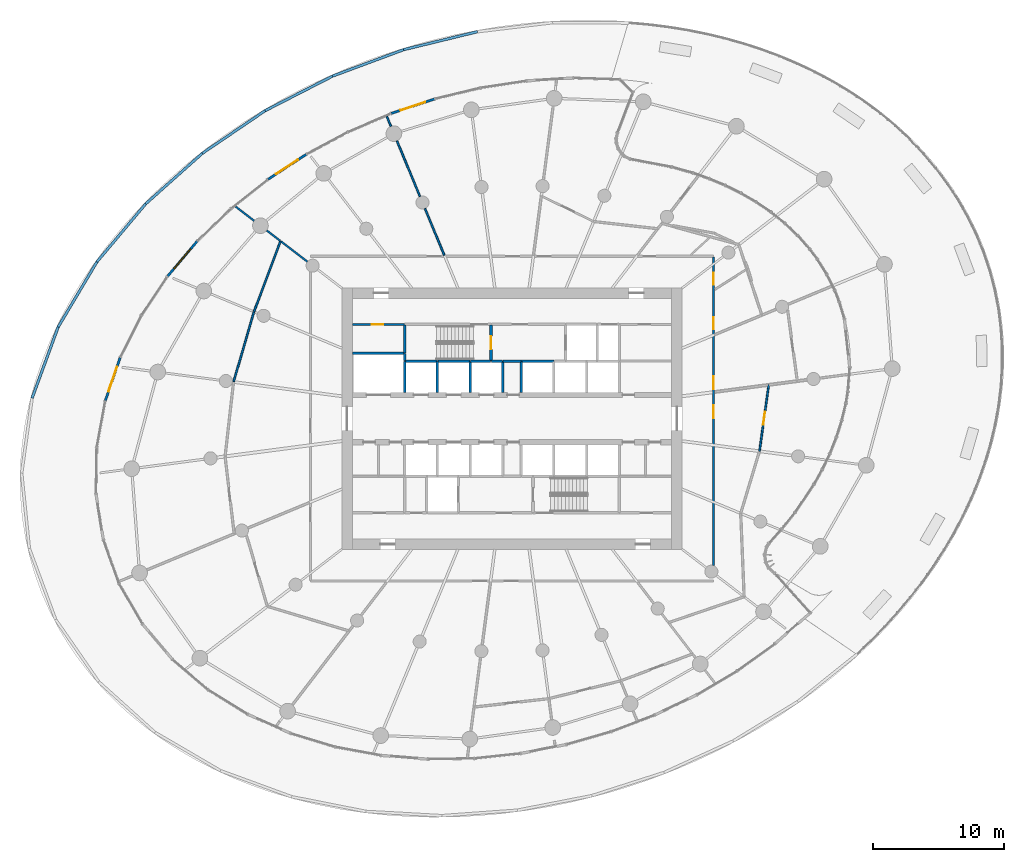
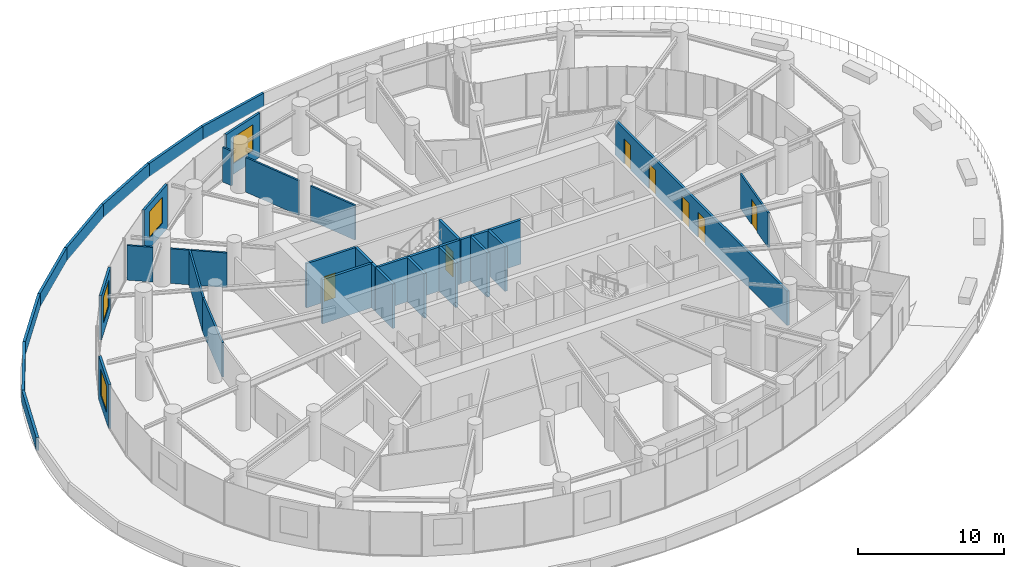
# One storey, part 17 of 24: 38 walls, 7 doors, 4 windows, 11 openings.
"""IFC4 building model written with IfcOpenShell, lengths in metres."""

from ifc_helpers import new_model, si_unit, direction, frame, frame_2d, origin, place, context, subcontext, project, spatial, rectangle, extrude, source, transform, mapped, material, layer, layer_set, type_object, element, fill, save


model = new_model("IFC4")

# Units and contexts
model_context = context("Model", 3, precision=1e-05, world=origin(), true_north=direction((0.0, 1.0)))
body_context = subcontext(model_context, "Body", "Model", "MODEL_VIEW")
ifc_project = project(units=[si_unit("LENGTHUNIT", "METRE"), si_unit("AREAUNIT", "SQUARE_METRE"), si_unit("VOLUMEUNIT", "CUBIC_METRE"), si_unit("PLANEANGLEUNIT", "RADIAN"), si_unit("MASSUNIT", "GRAM", prefix="KILO")], contexts=[model_context])

# Site, building, storey
site_placement = place(None, origin())
site = spatial("IfcSite", under=ifc_project, at=site_placement, CompositionType="ELEMENT")
building_placement = place(site_placement, origin())
building = spatial("IfcBuilding", under=site, at=building_placement, Name="Spindrift Exchange Tower", CompositionType="ELEMENT")
storey_placement = place(building_placement, frame((0.0, 0.0, 79.800048828125)))
storey = spatial("IfcBuildingStorey", under=building, at=storey_placement, Name="L18", CompositionType="ELEMENT", Elevation=79.800048828125)

# Walls
ifc_material_1 = material(Name="Concrete 40 MPa", Category="concrete")
ifc_layer_1 = layer(ifc_material_1, 0.199951171875)
ifc_layer_set_1 = layer_set([ifc_layer_1], Name="LEDGE PARAPET 1100")
wall_type_1 = type_object("IfcWallType", Name="LEDGE PARAPET 1100", PredefinedType="PARAPET", material=ifc_layer_set_1)
wall_1_placement = place(storey_placement, frame((15.331298828125, 49.566162109375, 0.0), z_axis=(0.0, 0.0, 1.0), x_axis=(0.344071277995, 0.938943531667, 0.0)))
element("IfcWall", 1, at=wall_1_placement, inside=storey, type_object=wall_type_1, Name="L18 Ledge Parapet 16", PredefinedType="PARAPET", context=body_context, shape_type="SweptSolid", body=[
    extrude(rectangle(XDim=5.7900390625, YDim=0.199951171875, at=frame_2d((2.89501953125, 0.0))), origin(), (0.0, 0.0, 1.0), 1.099853515625),
])
wall_2_placement = place(storey_placement, frame((17.323486328125, 55.002685546875, 0.0), z_axis=(0.0, 0.0, 1.0), x_axis=(0.511331211029, 0.859383728394, 0.0)))
element("IfcWall", 2, at=wall_2_placement, inside=storey, type_object=wall_type_1, Name="L18 Ledge Parapet 17", PredefinedType="PARAPET", context=body_context, shape_type="SweptSolid", body=[
    extrude(rectangle(XDim=5.79248046875, YDim=0.199951171875, at=frame_2d((2.896240234375, 0.0))), origin(), (0.0, 0.0, 1.0), 1.099853515625),
])
wall_3_placement = place(storey_placement, frame((20.285400390625, 59.980712890625, 0.0), z_axis=(0.0, 0.0, 1.0), x_axis=(0.643341291458, 0.765579507762, 0.0)))
element("IfcWall", 3, at=wall_3_placement, inside=storey, type_object=wall_type_1, Name="L18 Ledge Parapet 18", PredefinedType="PARAPET", context=body_context, shape_type="SweptSolid", body=[
    extrude(rectangle(XDim=5.7939453125, YDim=0.199951171875, at=frame_2d((2.89697265625, 0.0))), origin(), (0.0, 0.0, 1.0), 1.099853515625),
])
wall_4_placement = place(storey_placement, frame((24.012939453125, 64.41650390625, 0.0), z_axis=(0.0, 0.0, 1.0), x_axis=(0.746511452073, 0.665372566255, 0.0)))
element("IfcWall", 4, at=wall_4_placement, inside=storey, type_object=wall_type_1, Name="L18 Ledge Parapet 19", PredefinedType="PARAPET", context=body_context, shape_type="SweptSolid", body=[
    extrude(rectangle(XDim=5.795166015625, YDim=0.199951171875, at=frame_2d((2.8974609375, 0.0))), origin(), (0.0, 0.0, 1.0), 1.099853515625),
])
wall_5_placement = place(storey_placement, frame((28.339111328125, 68.2724609375, 0.0), z_axis=(0.0, 0.0, 1.0), x_axis=(0.827164601212, 0.561959716085, 0.0)))
element("IfcWall", 5, at=wall_5_placement, inside=storey, type_object=wall_type_1, Name="L18 Ledge Parapet 20", PredefinedType="PARAPET", context=body_context, shape_type="SweptSolid", body=[
    extrude(rectangle(XDim=5.7958984375, YDim=0.199951171875, at=frame_2d((2.89794921875, 0.0))), origin(), (0.0, 0.0, 1.0), 1.099853515625),
])
wall_6_placement = place(storey_placement, frame((33.13330078125, 71.529541015625, 0.0), z_axis=(0.0, 0.0, 1.0), x_axis=(0.889780183945, 0.456389334077, 0.0)))
element("IfcWall", 6, at=wall_6_placement, inside=storey, type_object=wall_type_1, Name="L18 Ledge Parapet 21", PredefinedType="PARAPET", context=body_context, shape_type="SweptSolid", body=[
    extrude(rectangle(XDim=5.796142578125, YDim=0.199951171875, at=frame_2d((2.89794921875, 0.0))), origin(), (0.0, 0.0, 1.0), 1.099853515625),
])
for number, where, z_axis, x_axis, name in (
    (7, (38.29052734375, 74.1748046875, 0.0), (0.0, 0.0, 1.0), (0.937325857348, 0.348454067486, 0.0), "L18 Ledge Parapet 22"),
    (8, (43.7236328125, 76.194580078125, 0.0), (0.0, 0.0, 1.0), (0.971560055615, 0.23679328186, 0.0), "L18 Ledge Parapet 23"),
):
    element("IfcWall", number, at=place(storey_placement, frame(where, z_axis=z_axis, x_axis=x_axis)), inside=storey, type_object=wall_type_1, Name=name, PredefinedType="PARAPET", context=body_context, shape_type="SweptSolid", body=[
        extrude(rectangle(XDim=5.79638671875, YDim=0.199951171875, at=frame_2d((2.898193359375, 0.0))), origin(), (0.0, 0.0, 1.0), 1.099853515625),
    ])

# Wall, opening, window
ifc_material_2 = material(Name="Bronze anodised aluminium frame with fritted laminated glass spandrel", Category="aluminium")
ifc_layer_2 = layer(ifc_material_2, 0.179931640625)
ifc_layer_set_2 = layer_set([ifc_layer_2], Name="UNITISED FRAME WALL")
wall_type_2 = type_object("IfcWallType", Name="UNITISED FRAME WALL", PredefinedType="STANDARD", material=ifc_layer_set_2)
wall_7_placement = place(storey_placement, frame((46.082763671875, 72.42333984375, 0.0), z_axis=(0.0, 0.0, 1.0), x_axis=(-0.948697281458, -0.316185812703, 0.0)))
wall_7 = element("IfcWall", 9, at=wall_7_placement, inside=storey, type_object=wall_type_2, Name="L18 Frame Wall 5", PredefinedType="STANDARD", context=body_context, shape_type="SweptSolid", body=[
    extrude(rectangle(XDim=3.49169921875, YDim=0.179931640625, at=frame_2d((1.745849609375, 0.0))), origin(), (0.0, 0.0, 1.0), 3.699951171875),
])
opening_1_placement = place(wall_7_placement, frame((0.745849609375, 0.0, 0.89990234375)))
opening_1 = element("IfcOpeningElement", 10, at=opening_1_placement, cuts=wall_7, Name="Opening WV18-02", PredefinedType="OPENING", context=body_context, shape_type="SweptSolid", body=[
    extrude(rectangle(XDim=2.0, YDim=2.199951171875, at=frame_2d((1.0, 1.10009765625))), frame((0.0, 0.099853515625, 0.0), z_axis=(0.0, -1.0, 0.0), x_axis=(1.0, 0.0, 0.0)), (0.0, 0.0, 1.0), 0.199951171875),
])
ifc_material_3 = material(Name="Clear laminated low-iron glass in bronze frame", Category="glass")
window_type = type_object("IfcWindowType", Name="OPERABLE CLEAR VENT 2000X2200", PartitioningType="SINGLE_PANEL", PredefinedType="WINDOW", material=ifc_material_3)
shared_shape_1 = source(origin(), body_context, "Body", "SweptSolid", [
    extrude(rectangle(XDim=2.0, YDim=2.199951171875, at=frame_2d((1.0, 1.10009765625))), frame((0.0, 0.030029296875, 0.0), z_axis=(0.0, -1.0, 0.0), x_axis=(1.0, 0.0, 0.0)), (0.0, 0.0, 1.0), 0.06005859375),
])
window_1_placement = place(opening_1_placement, origin())
window_1 = element("IfcWindow", 11, at=window_1_placement, inside=storey, type_object=window_type, Name="L18 Operable Vent WV18-02", OverallHeight=2.199951171875, OverallWidth=2.0, PartitioningType="SINGLE_PANEL", PredefinedType="WINDOW", context=body_context, shape_type="MappedRepresentation", body=[
    mapped(shared_shape_1, transform((0.0, 0.0, 0.0), scale=1.0)),
])
fill(opening_1, window_1)

wall_8_placement = place(storey_placement, frame((36.281982421875, 68.1953125, 0.0), z_axis=(0.0, 0.0, 1.0), x_axis=(-0.837092769451, -0.547060961258, 0.0)))
wall_8 = element("IfcWall", 12, at=wall_8_placement, inside=storey, type_object=wall_type_2, Name="L18 Frame Wall 8", PredefinedType="STANDARD", context=body_context, shape_type="SweptSolid", body=[
    extrude(rectangle(XDim=3.49169921875, YDim=0.179931640625, at=frame_2d((1.745849609375, 0.0))), origin(), (0.0, 0.0, 1.0), 3.699951171875),
])
opening_2_placement = place(wall_8_placement, frame((0.745849609375, 0.0, 0.89990234375)))
opening_2 = element("IfcOpeningElement", 13, at=opening_2_placement, cuts=wall_8, Name="Opening WV18-03", PredefinedType="OPENING", context=body_context, shape_type="SweptSolid", body=[
    extrude(rectangle(XDim=2.0, YDim=2.199951171875, at=frame_2d((1.0, 1.10009765625))), frame((0.0, 0.099853515625, 0.0), z_axis=(0.0, -1.0, 0.0), x_axis=(1.0, 0.0, 0.0)), (0.0, 0.0, 1.0), 0.199951171875),
])
window_2_placement = place(opening_2_placement, origin())
window_2 = element("IfcWindow", 14, at=window_2_placement, inside=storey, type_object=window_type, Name="L18 Operable Vent WV18-03", OverallHeight=2.199951171875, OverallWidth=2.0, PartitioningType="SINGLE_PANEL", PredefinedType="WINDOW", context=body_context, shape_type="MappedRepresentation", body=[
    mapped(shared_shape_1, transform((0.0, 0.0, 0.0), scale=1.0)),
])
fill(opening_2, window_2)

wall_9_placement = place(storey_placement, frame((27.938232421875, 61.548583984375, 0.0), z_axis=(0.0, 0.0, 1.0), x_axis=(-0.645349538413, -0.763887408765, 0.0)))
wall_9 = element("IfcWall", 15, at=wall_9_placement, inside=storey, type_object=wall_type_2, Name="L18 Frame Wall 11", PredefinedType="STANDARD", context=body_context, shape_type="SweptSolid", body=[
    extrude(rectangle(XDim=3.490966796875, YDim=0.179931640625, at=frame_2d((1.74560546875, 0.0))), origin(), (0.0, 0.0, 1.0), 3.699951171875),
])
opening_3_placement = place(wall_9_placement, frame((0.74560546875, 0.0, 0.89990234375)))
opening_3 = element("IfcOpeningElement", 16, at=opening_3_placement, cuts=wall_9, Name="Opening WV18-04", PredefinedType="OPENING", context=body_context, shape_type="SweptSolid", body=[
    extrude(rectangle(XDim=2.0, YDim=2.199951171875, at=frame_2d((1.0, 1.10009765625))), frame((0.0, 0.099853515625, 0.0), z_axis=(0.0, -1.0, 0.0), x_axis=(1.0, 0.0, 0.0)), (0.0, 0.0, 1.0), 0.199951171875),
])
window_3_placement = place(opening_3_placement, origin())
window_3 = element("IfcWindow", 17, at=window_3_placement, inside=storey, type_object=window_type, Name="L18 Operable Vent WV18-04", OverallHeight=2.199951171875, OverallWidth=2.0, PartitioningType="SINGLE_PANEL", PredefinedType="WINDOW", context=body_context, shape_type="MappedRepresentation", body=[
    mapped(shared_shape_1, transform((0.0, 0.0, 0.0), scale=1.0)),
])
fill(opening_3, window_3)

wall_10_placement = place(storey_placement, frame((22.061767578125, 52.670166015625, 0.0), z_axis=(0.0, 0.0, 1.0), x_axis=(-0.325113007856, -0.945675172627, 0.0)))
wall_10 = element("IfcWall", 18, at=wall_10_placement, inside=storey, type_object=wall_type_2, Name="L18 Frame Wall 14", PredefinedType="STANDARD", context=body_context, shape_type="SweptSolid", body=[
    extrude(rectangle(XDim=3.489501953125, YDim=0.179931640625, at=frame_2d((1.74462890625, 0.0))), origin(), (0.0, 0.0, 1.0), 3.699951171875),
])
opening_4_placement = place(wall_10_placement, frame((0.744873046875, 0.0, 0.89990234375)))
opening_4 = element("IfcOpeningElement", 19, at=opening_4_placement, cuts=wall_10, Name="Opening WV18-05", PredefinedType="OPENING", context=body_context, shape_type="SweptSolid", body=[
    extrude(rectangle(XDim=2.0, YDim=2.199951171875, at=frame_2d((1.0, 1.10009765625))), frame((0.0, 0.099853515625, 0.0), z_axis=(0.0, -1.0, 0.0), x_axis=(1.0, 0.0, 0.0)), (0.0, 0.0, 1.0), 0.199951171875),
])
window_4_placement = place(opening_4_placement, origin())
window_4 = element("IfcWindow", 20, at=window_4_placement, inside=storey, type_object=window_type, Name="L18 Operable Vent WV18-05", OverallHeight=2.199951171875, OverallWidth=2.0, PartitioningType="SINGLE_PANEL", PredefinedType="WINDOW", context=body_context, shape_type="MappedRepresentation", body=[
    mapped(shared_shape_1, transform((0.0, 0.0, 0.0), scale=1.0)),
])
fill(opening_4, window_4)

# Wall, openings, doors
ifc_material_4 = material(Name="Fire-rated plasterboard partition", Category="gypsum")
ifc_layer_3 = layer(ifc_material_4, 0.179931640625)
ifc_layer_set_3 = layer_set([ifc_layer_3], Name="W-CORR-180")
wall_type_3 = type_object("IfcWallType", Name="W-CORR-180", PredefinedType="PARTITIONING", material=ifc_layer_set_3)
wall_11_placement = place(storey_placement, frame((67.39990234375, 60.3701171875, 0.0), z_axis=(0.0, 0.0, 1.0), x_axis=(0.0, -1.0, 0.0)))
wall_11 = element("IfcWall", 21, at=wall_11_placement, inside=storey, type_object=wall_type_3, Name="L18 Partition wall 59", PredefinedType="PARTITIONING", context=body_context, shape_type="SweptSolid", body=[
    extrude(rectangle(XDim=23.58251953125, YDim=0.179931640625, at=frame_2d((11.791259765625, 0.0))), origin(), (0.0, 0.0, 1.0), 2.89990234375),
])
opening_5_placement = place(wall_11_placement, frame((9.132568359375, 0.0, 0.0)))
opening_5 = element("IfcOpeningElement", 22, at=opening_5_placement, cuts=wall_11, Name="Opening L18-D24", PredefinedType="OPENING", context=body_context, shape_type="SweptSolid", body=[
    extrude(rectangle(XDim=1.0, YDim=2.10009765625, at=frame_2d((0.5, 1.050048828125))), frame((0.0, 0.099853515625, 0.0), z_axis=(0.0, -1.0, 0.0), x_axis=(1.0, 0.0, 0.0)), (0.0, 0.0, 1.0), 0.199951171875),
])
opening_6_placement = place(wall_11_placement, frame((4.632568359375, 0.0, 0.0)))
opening_6 = element("IfcOpeningElement", 23, at=opening_6_placement, cuts=wall_11, Name="Opening L18-D26", PredefinedType="OPENING", context=body_context, shape_type="SweptSolid", body=[
    extrude(rectangle(XDim=0.89990234375, YDim=2.10009765625, at=frame_2d((0.449951171875, 1.050048828125))), frame((0.0, 0.099853515625, 0.0), z_axis=(0.0, -1.0, 0.0), x_axis=(1.0, 0.0, 0.0)), (0.0, 0.0, 1.0), 0.199951171875),
])
opening_7_placement = place(wall_11_placement, frame((1.232421875, 0.0, 0.0)))
opening_7 = element("IfcOpeningElement", 24, at=opening_7_placement, cuts=wall_11, Name="Opening L18-D27", PredefinedType="OPENING", context=body_context, shape_type="SweptSolid", body=[
    extrude(rectangle(XDim=0.89990234375, YDim=2.10009765625, at=frame_2d((0.449951171875, 1.050048828125))), frame((0.0, 0.099853515625, 0.0), z_axis=(0.0, -1.0, 0.0), x_axis=(1.0, 0.0, 0.0)), (0.0, 0.0, 1.0), 0.199951171875),
])
opening_8_placement = place(wall_11_placement, frame((11.33251953125, 0.0, 0.0)))
opening_8 = element("IfcOpeningElement", 25, at=opening_8_placement, cuts=wall_11, Name="Opening L18-D43", PredefinedType="OPENING", context=body_context, shape_type="SweptSolid", body=[
    extrude(rectangle(XDim=1.0, YDim=2.10009765625, at=frame_2d((0.5, 1.050048828125))), frame((0.0, 0.099853515625, 0.0), z_axis=(0.0, -1.0, 0.0), x_axis=(1.0, 0.0, 0.0)), (0.0, 0.0, 1.0), 0.199951171875),
])
ifc_material_5 = material(Name="Timber-core fire door", Category="wood")
door_type_1 = type_object("IfcDoorType", Name="DR-ROOM-1000", OperationType="NOTDEFINED", PredefinedType="DOOR", material=ifc_material_5)
shared_shape_2 = source(origin(), body_context, "Body", "SweptSolid", [
    extrude(rectangle(XDim=1.0, YDim=2.10009765625, at=frame_2d((0.5, 1.050048828125))), frame((0.0, 0.02490234375, 0.0), z_axis=(0.0, -1.0, 0.0), x_axis=(1.0, 0.0, 0.0)), (0.0, 0.0, 1.0), 0.050048828125),
])
door_1_placement = place(opening_5_placement, origin())
door_1 = element("IfcDoor", 26, at=door_1_placement, inside=storey, type_object=door_type_1, Name="L18 Door 24", OperationType="SINGLE_SWING_LEFT", OverallHeight=2.10009765625, OverallWidth=1.0, PredefinedType="DOOR", context=body_context, shape_type="MappedRepresentation", body=[
    mapped(shared_shape_2, transform((0.0, 0.0, 0.0), scale=1.0)),
])
fill(opening_5, door_1)
door_2_placement = place(opening_8_placement, origin())
door_2 = element("IfcDoor", 27, at=door_2_placement, inside=storey, type_object=door_type_1, Name="L18 Door 43", OperationType="SINGLE_SWING_RIGHT", OverallHeight=2.10009765625, OverallWidth=1.0, PredefinedType="DOOR", context=body_context, shape_type="MappedRepresentation", body=[
    mapped(shared_shape_2, transform((0.0, 0.0, 0.0), scale=1.0)),
])
fill(opening_8, door_2)
ifc_material_6 = material(Name="Laminate washroom door", Category="wood")
door_type_2 = type_object("IfcDoorType", Name="DR-WC-900", OperationType="NOTDEFINED", PredefinedType="DOOR", material=ifc_material_6)
shared_shape_3 = source(origin(), body_context, "Body", "SweptSolid", [
    extrude(rectangle(XDim=0.89990234375, YDim=2.10009765625, at=frame_2d((0.449951171875, 1.050048828125))), frame((0.0, 0.02490234375, 0.0), z_axis=(0.0, -1.0, 0.0), x_axis=(1.0, 0.0, 0.0)), (0.0, 0.0, 1.0), 0.050048828125),
])
door_3_placement = place(opening_6_placement, origin())
door_3 = element("IfcDoor", 28, at=door_3_placement, inside=storey, type_object=door_type_2, Name="L18 WC door 26", OperationType="SINGLE_SWING_LEFT", OverallHeight=2.10009765625, OverallWidth=0.89990234375, PredefinedType="DOOR", context=body_context, shape_type="MappedRepresentation", body=[
    mapped(shared_shape_3, transform((0.0, 0.0, 0.0), scale=1.0)),
])
fill(opening_6, door_3)
door_4_placement = place(opening_7_placement, origin())
door_4 = element("IfcDoor", 29, at=door_4_placement, inside=storey, type_object=door_type_2, Name="L18 WC door 27", OperationType="SINGLE_SWING_RIGHT", OverallHeight=2.10009765625, OverallWidth=0.89990234375, PredefinedType="DOOR", context=body_context, shape_type="MappedRepresentation", body=[
    mapped(shared_shape_3, transform((0.0, 0.0, 0.0), scale=1.0)),
])
fill(opening_7, door_4)

# Wall, opening, door
wall_12_placement = place(storey_placement, frame((43.77001953125, 55.199951171875, 0.0), z_axis=(0.0, 0.0, 1.0), x_axis=(-1.0, 0.0, 0.0)))
wall_12 = element("IfcWall", 30, at=wall_12_placement, inside=storey, type_object=wall_type_3, Name="L18 Partition wall 64", PredefinedType="PARTITIONING", context=body_context, shape_type="SweptSolid", body=[
    extrude(rectangle(XDim=3.949951171875, YDim=0.179931640625, at=frame_2d((1.97509765625, 0.0))), origin(), (0.0, 0.0, 1.0), 3.699951171875),
])
opening_9_placement = place(wall_12_placement, frame((1.60009765625, 0.0, 0.0)))
opening_9 = element("IfcOpeningElement", 31, at=opening_9_placement, cuts=wall_12, Name="Opening L18-D45", PredefinedType="OPENING", context=body_context, shape_type="SweptSolid", body=[
    extrude(rectangle(XDim=0.89990234375, YDim=2.10009765625, at=frame_2d((0.449951171875, 1.050048828125))), frame((0.0, 0.099853515625, 0.0), z_axis=(0.0, -1.0, 0.0), x_axis=(1.0, 0.0, 0.0)), (0.0, 0.0, 1.0), 0.199951171875),
])
ifc_material_7 = material(Name="Steel access door", Category="steel")
door_type_3 = type_object("IfcDoorType", Name="DR-RISER-900", OperationType="NOTDEFINED", PredefinedType="DOOR", material=ifc_material_7)
shared_shape_4 = source(origin(), body_context, "Body", "SweptSolid", [
    extrude(rectangle(XDim=0.89990234375, YDim=2.10009765625, at=frame_2d((0.449951171875, 1.050048828125))), frame((0.0, 0.02490234375, 0.0), z_axis=(0.0, -1.0, 0.0), x_axis=(1.0, 0.0, 0.0)), (0.0, 0.0, 1.0), 0.050048828125),
])
door_5_placement = place(opening_9_placement, origin())
door_5 = element("IfcDoor", 32, at=door_5_placement, inside=storey, type_object=door_type_3, Name="L18 Riser door 45", OperationType="SINGLE_SWING_RIGHT", OverallHeight=2.10009765625, OverallWidth=0.89990234375, PredefinedType="DOOR", context=body_context, shape_type="MappedRepresentation", body=[
    mapped(shared_shape_4, transform((0.0, 0.0, 0.0), scale=1.0)),
])
fill(opening_9, door_5)

ifc_layer_4 = layer(ifc_material_4, 0.139892578125)
ifc_layer_set_4 = layer_set([ifc_layer_4], Name="W-PART-140")
wall_type_4 = type_object("IfcWallType", Name="W-PART-140", PredefinedType="PARTITIONING", material=ifc_layer_set_4)
wall_13_placement = place(storey_placement, frame((71.617431640625, 50.582763671875, 0.0), z_axis=(0.0, 0.0, 1.0), x_axis=(-0.138150358713, -0.990411267296, 0.0)))
wall_13 = element("IfcWall", 33, at=wall_13_placement, inside=storey, type_object=wall_type_4, Name="L18 Partition wall 83", PredefinedType="PARTITIONING", context=body_context, shape_type="SweptSolid", body=[
    extrude(rectangle(XDim=5.121337890625, YDim=0.139892578125, at=frame_2d((2.560546875, 0.0))), origin(), (0.0, 0.0, 1.0), 2.89990234375),
])
opening_10_placement = place(wall_13_placement, frame((2.0712890625, 0.0, 0.0)))
opening_10 = element("IfcOpeningElement", 34, at=opening_10_placement, cuts=wall_13, Name="Opening L18-D44", PredefinedType="OPENING", context=body_context, shape_type="SweptSolid", body=[
    extrude(rectangle(XDim=1.0, YDim=2.10009765625, at=frame_2d((0.5, 1.050048828125))), frame((0.0, 0.079833984375, 0.0), z_axis=(0.0, -1.0, 0.0), x_axis=(1.0, 0.0, 0.0)), (0.0, 0.0, 1.0), 0.159912109375),
])
door_6_placement = place(opening_10_placement, origin())
door_6 = element("IfcDoor", 35, at=door_6_placement, inside=storey, type_object=door_type_1, Name="L18 Door 44", OperationType="SINGLE_SWING_LEFT", OverallHeight=2.10009765625, OverallWidth=1.0, PredefinedType="DOOR", context=body_context, shape_type="MappedRepresentation", body=[
    mapped(shared_shape_2, transform((0.0, 0.0, 0.0), scale=1.0)),
])
fill(opening_10, door_6)

# Walls
ifc_layer_5 = layer(ifc_material_4, 0.139892578125)
ifc_layer_set_5 = layer_set([ifc_layer_5], Name="W-PLANT-140")
wall_type_5 = type_object("IfcWallType", Name="W-PLANT-140", PredefinedType="PARTITIONING", material=ifc_layer_set_5)
wall_14_placement = place(storey_placement, frame((34.3154296875, 61.56982421875, 0.0), z_axis=(0.0, 0.0, 1.0), x_axis=(-0.351670300138, -0.936123923421, 0.0)))
element("IfcWall", 36, at=wall_14_placement, inside=storey, type_object=wall_type_5, Name="L18 Partition wall 73", PredefinedType="PARTITIONING", context=body_context, shape_type="SweptSolid", body=[
    extrude(rectangle(XDim=5.7724609375, YDim=0.139892578125, at=frame_2d((2.88623046875, 0.0))), origin(), (0.0, 0.0, 1.0), 2.89990234375),
])
wall_15_placement = place(storey_placement, frame((32.27685546875, 56.13720703125, 0.0), z_axis=(0.0, 0.0, 1.0), x_axis=(-0.279326579158, -0.960196158176, 0.0)))
element("IfcWall", 37, at=wall_15_placement, inside=storey, type_object=wall_type_5, Name="L18 Partition wall 80", PredefinedType="PARTITIONING", context=body_context, shape_type="SweptSolid", body=[
    extrude(rectangle(XDim=5.52734375, YDim=0.139892578125, at=frame_2d((2.763671875, 0.0))), origin(), (0.0, 0.0, 1.0), 2.89990234375),
])
wall_16_placement = place(storey_placement, frame((44.965087890625, 64.984130859375, 0.0), z_axis=(0.0, 0.0, 1.0), x_axis=(-0.382705930348, 0.923870213221, 0.0)))
element("IfcWall", 38, at=wall_16_placement, inside=storey, type_object=wall_type_5, Name="L18 Partition wall 88", PredefinedType="PARTITIONING", context=body_context, shape_type="SweptSolid", body=[
    extrude(rectangle(XDim=4.586669921875, YDim=0.139892578125, at=frame_2d((2.29345703125, 0.0))), origin(), (0.0, 0.0, 1.0), 2.89990234375),
])
wall_17_placement = place(storey_placement, frame((46.826416015625, 60.489990234375, 0.0), z_axis=(0.0, 0.0, 1.0), x_axis=(-0.382644558062, 0.923895633817, 0.0)))
element("IfcWall", 39, at=wall_17_placement, inside=storey, type_object=wall_type_5, Name="L18 Partition wall 93", PredefinedType="PARTITIONING", context=body_context, shape_type="SweptSolid", body=[
    extrude(rectangle(XDim=3.854248046875, YDim=0.139892578125, at=frame_2d((1.92724609375, 0.0))), origin(), (0.0, 0.0, 1.0), 2.89990234375),
])
wall_18_placement = place(storey_placement, frame((36.367431640625, 59.995361328125, 0.0), z_axis=(0.0, 0.0, 1.0), x_axis=(-0.793342057606, 0.608776132609, 0.0)))
element("IfcWall", 40, at=wall_18_placement, inside=storey, type_object=wall_type_5, Name="L18 Partition wall 100", PredefinedType="PARTITIONING", context=body_context, shape_type="SweptSolid", body=[
    extrude(rectangle(XDim=2.51318359375, YDim=0.139892578125, at=frame_2d((1.256591796875, 0.0))), origin(), (0.0, 0.0, 1.0), 2.89990234375),
])
wall_19_placement = place(storey_placement, frame((32.30078125, 63.11572265625, 0.0), z_axis=(0.0, 0.0, 1.0), x_axis=(-0.793353764311, 0.608760876415, 0.0)))
element("IfcWall", 41, at=wall_19_placement, inside=storey, type_object=wall_type_5, Name="L18 Partition wall 111", PredefinedType="PARTITIONING", context=body_context, shape_type="SweptSolid", body=[
    extrude(rectangle(XDim=1.78955078125, YDim=0.139892578125, at=frame_2d((0.894775390625, 0.0))), origin(), (0.0, 0.0, 1.0), 2.89990234375),
])
wall_20_placement = place(storey_placement, frame((34.291748046875, 61.588134765625, 0.0), z_axis=(0.0, 0.0, 1.0), x_axis=(-0.793397863959, 0.608703400241, 0.0)))
element("IfcWall", 42, at=wall_20_placement, inside=storey, type_object=wall_type_5, Name="L18 Partition wall 113", PredefinedType="PARTITIONING", context=body_context, shape_type="SweptSolid", body=[
    extrude(rectangle(XDim=1.30078125, YDim=0.139892578125, at=frame_2d((0.650390625, 0.0))), origin(), (0.0, 0.0, 1.0), 2.89990234375),
])
wall_21_placement = place(storey_placement, frame((42.74658203125, 70.339599609375, 0.0), z_axis=(0.0, 0.0, 1.0), x_axis=(-0.38272164666, 0.923863702706, 0.0)))
element("IfcWall", 43, at=wall_21_placement, inside=storey, type_object=wall_type_5, Name="L18 Partition wall 123", PredefinedType="PARTITIONING", context=body_context, shape_type="SweptSolid", body=[
    extrude(rectangle(XDim=0.796630859375, YDim=0.139892578125, at=frame_2d((0.3984375, 0.0))), origin(), (0.0, 0.0, 1.0), 2.89990234375),
])
ifc_layer_6 = layer(ifc_material_1, 0.199951171875)
ifc_layer_set_6 = layer_set([ifc_layer_6], Name="W-SHAFT-200")
wall_type_6 = type_object("IfcWallType", Name="W-SHAFT-200", PredefinedType="SOLIDWALL", material=ifc_layer_set_6)
wall_22_placement = place(storey_placement, frame((55.199951171875, 52.39990234375, 0.0), z_axis=(0.0, 0.0, 1.0), x_axis=(-1.0, 0.0, 0.0)))
element("IfcWall", 44, at=wall_22_placement, inside=storey, type_object=wall_type_6, Name="L18 Shaft wall 18", PredefinedType="SOLIDWALL", context=body_context, shape_type="SweptSolid", body=[
    extrude(rectangle(XDim=2.5, YDim=0.199951171875, at=frame_2d((1.25, 0.0))), origin(), (0.0, 0.0, 1.0), 3.699951171875),
])
wall_23_placement = place(storey_placement, frame((51.300048828125, 50.010009765625, 0.0), z_axis=(0.0, 0.0, 1.0), x_axis=(0.0, 1.0, 0.0)))
element("IfcWall", 45, at=wall_23_placement, inside=storey, type_object=wall_type_6, Name="L18 Shaft wall 30", PredefinedType="SOLIDWALL", context=body_context, shape_type="SweptSolid", body=[
    extrude(rectangle(XDim=2.389892578125, YDim=0.199951171875, at=frame_2d((1.19482421875, 0.0))), origin(), (0.0, 0.0, 1.0), 3.699951171875),
])
wall_24_placement = place(storey_placement, frame((52.699951171875, 52.3701171875, 0.0), z_axis=(0.0, 0.0, 1.0), x_axis=(0.0, -1.0, 0.0)))
element("IfcWall", 46, at=wall_24_placement, inside=storey, type_object=wall_type_6, Name="L18 Shaft wall 32", PredefinedType="SOLIDWALL", context=body_context, shape_type="SweptSolid", body=[
    extrude(rectangle(XDim=2.360107421875, YDim=0.199951171875, at=frame_2d((1.18017578125, 0.0))), origin(), (0.0, 0.0, 1.0), 3.699951171875),
])
wall_25_placement = place(storey_placement, frame((51.330078125, 52.39990234375, 0.0), z_axis=(0.0, 0.0, 1.0), x_axis=(1.0, 0.0, 0.0)))
element("IfcWall", 47, at=wall_25_placement, inside=storey, type_object=wall_type_6, Name="L18 Shaft wall 49", PredefinedType="SOLIDWALL", context=body_context, shape_type="SweptSolid", body=[
    extrude(rectangle(XDim=1.33984375, YDim=0.199951171875, at=frame_2d((0.669921875, 0.0))), origin(), (0.0, 0.0, 1.0), 3.699951171875),
])
ifc_layer_7 = layer(ifc_material_1, 0.199951171875)
ifc_layer_set_7 = layer_set([ifc_layer_7], Name="W-SHAFT-200-LB")
wall_type_7 = type_object("IfcWallType", Name="W-SHAFT-200-LB", PredefinedType="SOLIDWALL", material=ifc_layer_set_7)
wall_26_placement = place(storey_placement, frame((43.800048828125, 53.0, 0.0), z_axis=(0.0, 0.0, 1.0), x_axis=(-1.0, 0.0, 0.0)))
element("IfcWall", 48, at=wall_26_placement, inside=storey, type_object=wall_type_7, Name="L18 Shaft wall 5", PredefinedType="SOLIDWALL", context=body_context, shape_type="SweptSolid", body=[
    extrude(rectangle(XDim=3.97998046875, YDim=0.199951171875, at=frame_2d((1.989990234375, 0.0))), origin(), (0.0, 0.0, 1.0), 3.699951171875),
])

# Wall, opening, door
wall_27_placement = place(storey_placement, frame((50.39990234375, 52.39990234375, 0.0), z_axis=(0.0, 0.0, 1.0), x_axis=(0.0, 1.0, 0.0)))
wall_27 = element("IfcWall", 49, at=wall_27_placement, inside=storey, type_object=wall_type_7, Name="L18 Shaft wall 9", PredefinedType="SOLIDWALL", context=body_context, shape_type="SweptSolid", body=[
    extrude(rectangle(XDim=2.77001953125, YDim=0.199951171875, at=frame_2d((1.385009765625, 0.0))), origin(), (0.0, 0.0, 1.0), 3.699951171875),
])
opening_11_placement = place(wall_27_placement, frame((0.89990234375, 0.0, 0.0)))
opening_11 = element("IfcOpeningElement", 50, at=opening_11_placement, cuts=wall_27, Name="Opening L18-D14", PredefinedType="OPENING", context=body_context, shape_type="SweptSolid", body=[
    extrude(rectangle(XDim=1.0, YDim=2.10009765625, at=frame_2d((0.5, 1.050048828125))), frame((0.0, 0.10986328125, 0.0), z_axis=(0.0, -1.0, 0.0), x_axis=(1.0, 0.0, 0.0)), (0.0, 0.0, 1.0), 0.219970703125),
])
ifc_material_8 = material(Name="Steel fire door", Category="steel")
door_type_4 = type_object("IfcDoorType", Name="DR-STAIR-1000", OperationType="NOTDEFINED", PredefinedType="DOOR", material=ifc_material_8)
shared_shape_5 = source(origin(), body_context, "Body", "SweptSolid", [
    extrude(rectangle(XDim=1.0, YDim=2.10009765625, at=frame_2d((0.5, 1.050048828125))), frame((0.0, 0.02490234375, 0.0), z_axis=(0.0, -1.0, 0.0), x_axis=(1.0, 0.0, 0.0)), (0.0, 0.0, 1.0), 0.050048828125),
])
door_7_placement = place(opening_11_placement, origin())
door_7 = element("IfcDoor", 51, at=door_7_placement, inside=storey, type_object=door_type_4, Name="L18 Stair door 14", OperationType="SINGLE_SWING_LEFT", OverallHeight=2.10009765625, OverallWidth=1.0, PredefinedType="DOOR", context=body_context, shape_type="MappedRepresentation", body=[
    mapped(shared_shape_5, transform((0.0, 0.0, 0.0), scale=1.0)),
])
fill(opening_11, door_7)

# Walls
wall_28_placement = place(storey_placement, frame((46.300048828125, 52.39990234375, 0.0), z_axis=(0.0, 0.0, 1.0), x_axis=(-1.0, 0.0, 0.0)))
element("IfcWall", 52, at=wall_28_placement, inside=storey, type_object=wall_type_7, Name="L18 Shaft wall 15", PredefinedType="SOLIDWALL", context=body_context, shape_type="SweptSolid", body=[
    extrude(rectangle(XDim=2.5, YDim=0.199951171875, at=frame_2d((1.25, 0.0))), origin(), (0.0, 0.0, 1.0), 3.699951171875),
])
wall_29_placement = place(storey_placement, frame((48.800048828125, 52.39990234375, 0.0), z_axis=(0.0, 0.0, 1.0), x_axis=(-1.0, 0.0, 0.0)))
element("IfcWall", 53, at=wall_29_placement, inside=storey, type_object=wall_type_7, Name="L18 Shaft wall 16", PredefinedType="SOLIDWALL", context=body_context, shape_type="SweptSolid", body=[
    extrude(rectangle(XDim=2.469970703125, YDim=0.199951171875, at=frame_2d((1.23486328125, 0.0))), origin(), (0.0, 0.0, 1.0), 3.699951171875),
])
for number, where, z_axis, x_axis, name in (
    (54, (43.800048828125, 52.3701171875, 0.0), (0.0, 0.0, 1.0), (0.0, -1.0, 0.0), "L18 Shaft wall 24"),
    (55, (46.300048828125, 50.010009765625, 0.0), (0.0, 0.0, 1.0), (0.0, 1.0, 0.0), "L18 Shaft wall 26"),
    (56, (48.800048828125, 50.010009765625, 0.0), (0.0, 0.0, 1.0), (0.0, 1.0, 0.0), "L18 Shaft wall 28"),
):
    element("IfcWall", number, at=place(storey_placement, frame(where, z_axis=z_axis, x_axis=x_axis)), inside=storey, type_object=wall_type_7, Name=name, PredefinedType="SOLIDWALL", context=body_context, shape_type="SweptSolid", body=[
        extrude(rectangle(XDim=2.360107421875, YDim=0.199951171875, at=frame_2d((1.18017578125, 0.0))), origin(), (0.0, 0.0, 1.0), 3.699951171875),
    ])
wall_30_placement = place(storey_placement, frame((43.800048828125, 55.169921875, 0.0), z_axis=(0.0, 0.0, 1.0), x_axis=(0.0, -1.0, 0.0)))
element("IfcWall", 57, at=wall_30_placement, inside=storey, type_object=wall_type_7, Name="L18 Shaft wall 39", PredefinedType="SOLIDWALL", context=body_context, shape_type="SweptSolid", body=[
    extrude(rectangle(XDim=2.139892578125, YDim=0.199951171875, at=frame_2d((1.06982421875, 0.0))), origin(), (0.0, 0.0, 1.0), 3.699951171875),
])
wall_31_placement = place(storey_placement, frame((50.3701171875, 52.39990234375, 0.0), z_axis=(0.0, 0.0, 1.0), x_axis=(-1.0, 0.0, 0.0)))
element("IfcWall", 58, at=wall_31_placement, inside=storey, type_object=wall_type_7, Name="L18 Shaft wall 45", PredefinedType="SOLIDWALL", context=body_context, shape_type="SweptSolid", body=[
    extrude(rectangle(XDim=1.5400390625, YDim=0.199951171875, at=frame_2d((0.77001953125, 0.0))), origin(), (0.0, 0.0, 1.0), 3.699951171875),
])
wall_32_placement = place(storey_placement, frame((51.27001953125, 52.39990234375, 0.0), z_axis=(0.0, 0.0, 1.0), x_axis=(-1.0, 0.0, 0.0)))
element("IfcWall", 59, at=wall_32_placement, inside=storey, type_object=wall_type_7, Name="L18 Shaft wall 51", PredefinedType="SOLIDWALL", context=body_context, shape_type="SweptSolid", body=[
    extrude(rectangle(XDim=0.840087890625, YDim=0.199951171875, at=frame_2d((0.419921875, 0.0))), origin(), (0.0, 0.0, 1.0), 3.699951171875),
])
wall_33_placement = place(storey_placement, frame((43.800048828125, 52.429931640625, 0.0), z_axis=(0.0, 0.0, 1.0), x_axis=(0.0, 1.0, 0.0)))
element("IfcWall", 60, at=wall_33_placement, inside=storey, type_object=wall_type_7, Name="L18 Shaft wall 56", PredefinedType="SOLIDWALL", context=body_context, shape_type="SweptSolid", body=[
    extrude(rectangle(XDim=0.5400390625, YDim=0.199951171875, at=frame_2d((0.27001953125, 0.0))), origin(), (0.0, 0.0, 1.0), 3.699951171875),
])

save(model, "model.ifc")
